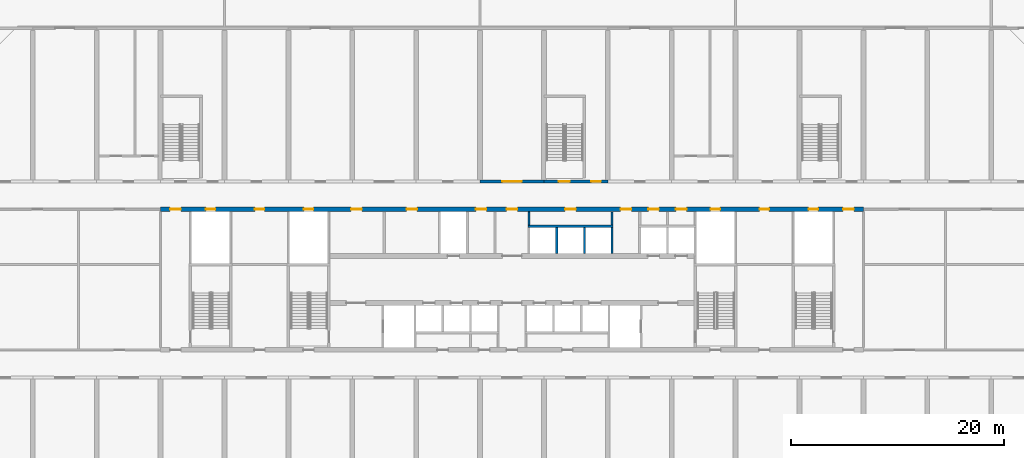
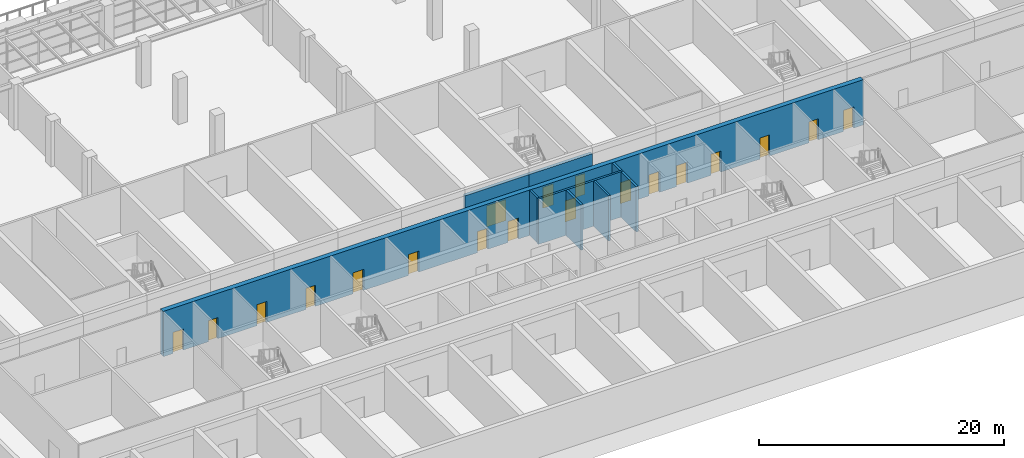
# One storey, part 10 of 20: 19 doors, 9 walls, 19 openings.
"""IFC4 building model written with IfcOpenShell, lengths in metres."""

from ifc_helpers import new_model, si_unit, direction, frame, frame_2d, origin, place, context, subcontext, project, spatial, rectangle, extrude, material, layer, layer_set, type_object, element, fill, save


model = new_model("IFC4")

# Units and contexts
model_context = context("Model", 3, precision=1e-05, world=origin(), true_north=direction((0.0, 1.0)))
body_context = subcontext(model_context, "Body", "Model", "MODEL_VIEW")
ifc_project = project(units=[si_unit("LENGTHUNIT", "METRE"), si_unit("AREAUNIT", "SQUARE_METRE"), si_unit("VOLUMEUNIT", "CUBIC_METRE"), si_unit("PLANEANGLEUNIT", "RADIAN"), si_unit("MASSUNIT", "GRAM", prefix="KILO")], contexts=[model_context])

# Site, building, storey
site_placement = place(None, origin())
site = spatial("IfcSite", under=ifc_project, at=site_placement, CompositionType="ELEMENT")
building_placement = place(site_placement, origin())
building = spatial("IfcBuilding", under=site, at=building_placement, Name="Poui Terraces", CompositionType="ELEMENT")
storey_placement = place(building_placement, frame((0.0, 0.0, 6.0)))
storey = spatial("IfcBuildingStorey", under=building, at=storey_placement, Name="L01", CompositionType="ELEMENT", Elevation=6.0)

# Walls
ifc_material_1 = material(Name="Fire-rated masonry wall", Category="masonry")
ifc_layer_1 = layer(ifc_material_1, 0.199951171875)
ifc_layer_set_1 = layer_set([ifc_layer_1], Name="Fire-rated masonry wall")
wall_type_1 = type_object("IfcWallType", Name="COMPARTMENT WALL 200", PredefinedType="PARTITIONING", material=ifc_layer_set_1)
wall_1_placement = place(storey_placement, frame((60.39990234375, 26.300048828125, 0.0), z_axis=(0.0, 0.0, 1.0), x_axis=(0.0, 1.0, 0.0)))
element("IfcWall", 1, at=wall_1_placement, inside=storey, type_object=wall_type_1, Name="COMPARTMENT WALL 200", PredefinedType="PARTITIONING", context=body_context, shape_type="SweptSolid", body=[
    extrude(rectangle(XDim=1.264892578125, YDim=0.199951171875, at=frame_2d((0.63232421875, 0.0))), origin(), (0.0, 0.0, 1.0), 4.52001953125),
])
ifc_material_2 = material(Name="Fire-rated plasterboard wall")
ifc_layer_2 = layer(ifc_material_2, 0.14990234375)
ifc_layer_set_2 = layer_set([ifc_layer_2], Name="Fire-rated plasterboard wall")
wall_type_2 = type_object("IfcWallType", Name="CORRIDOR WALL 150", PredefinedType="PARTITIONING", material=ifc_layer_set_2)
wall_2_placement = place(storey_placement, frame((52.60009765625, 26.300048828125, 0.0), z_axis=(0.0, 0.0, 1.0), x_axis=(0.0, 1.0, 0.0)))
element("IfcWall", 2, at=wall_2_placement, inside=storey, type_object=wall_type_2, Name="CORRIDOR WALL 150", PredefinedType="PARTITIONING", context=body_context, shape_type="SweptSolid", body=[
    extrude(rectangle(XDim=1.264892578125, YDim=0.14990234375, at=frame_2d((0.63232421875, 0.0))), origin(), (0.0, 0.0, 1.0), 4.52001953125),
])

# Wall, opening, door
ifc_material_3 = material(Name="Concrete 80 MPa", Category="concrete")
ifc_layer_3 = layer(ifc_material_3, 0.300048828125)
ifc_layer_set_3 = layer_set([ifc_layer_3], Name="Concrete 80 MPa")
wall_type_3 = type_object("IfcWallType", Name="CORRIDOR WALL 300 80MPa", PredefinedType="SHEAR", material=ifc_layer_set_3)
wall_3_placement = place(storey_placement, frame((48.0, 30.39990234375, 0.0), z_axis=(0.0, 0.0, 1.0), x_axis=(1.0, 0.0, 0.0)))
wall_3 = element("IfcWall", 3, at=wall_3_placement, inside=storey, type_object=wall_type_3, Name="CORRIDOR WALL LINE E BAY 9", PredefinedType="SHEAR", context=body_context, shape_type="SweptSolid", body=[
    extrude(rectangle(XDim=6.0, YDim=0.300048828125, at=frame_2d((3.0, 0.0))), origin(), (0.0, 0.0, 1.0), 3.919921875),
])
opening_1_placement = place(wall_3_placement, frame((2.10009765625, 0.0, 0.0)))
opening_1 = element("IfcOpeningElement", 4, at=opening_1_placement, cuts=wall_3, Name="Opening DD180", PredefinedType="OPENING", context=body_context, shape_type="SweptSolid", body=[
    extrude(rectangle(XDim=1.800048828125, YDim=2.10009765625, at=frame_2d((0.89990234375, 1.050048828125))), frame((0.0, 0.16015625, 0.0), z_axis=(0.0, -1.0, 0.0), x_axis=(1.0, 0.0, 0.0)), (0.0, 0.0, 1.0), 0.320068359375),
])
ifc_material_4 = material(Name="Steel fire door", Category="steel")
door_type_1 = type_object("IfcDoorType", Name="DOUBLE INTERNAL DOOR 1800 X 2100", OperationType="DOUBLE_DOOR_SINGLE_SWING", PredefinedType="DOOR", material=ifc_material_4)
door_1_placement = place(opening_1_placement, frame((1.800048828125, 0.0, 0.0), z_axis=(0.0, 0.0, 1.0), x_axis=(-1.0, 0.0, 0.0)))
door_1 = element("IfcDoor", 5, at=door_1_placement, inside=storey, type_object=door_type_1, Name="DOUBLE INTERNAL DOOR 021", OperationType="DOUBLE_DOOR_SINGLE_SWING", OverallHeight=2.10009765625, OverallWidth=1.800048828125, PredefinedType="DOOR", context=body_context, shape_type="SweptSolid", body=[
    extrude(rectangle(XDim=1.800048828125, YDim=2.10009765625, at=frame_2d((0.89990234375, 1.050048828125))), frame((0.0, 0.02490234375, 0.0), z_axis=(0.0, -1.0, 0.0), x_axis=(1.0, 0.0, 0.0)), (0.0, 0.0, 1.0), 0.050048828125),
])
fill(opening_1, door_1)

# Wall, openings, doors
wall_4_placement = place(storey_placement, frame((54.0, 30.39990234375, 0.0), z_axis=(0.0, 0.0, 1.0), x_axis=(1.0, 0.0, 0.0)))
wall_4 = element("IfcWall", 6, at=wall_4_placement, inside=storey, type_object=wall_type_3, Name="CORRIDOR WALL LINE E BAY 10", PredefinedType="SHEAR", context=body_context, shape_type="SweptSolid", body=[
    extrude(rectangle(XDim=6.0, YDim=0.300048828125, at=frame_2d((3.0, 0.0))), origin(), (0.0, 0.0, 1.0), 3.919921875),
])
opening_2_placement = place(wall_4_placement, frame((1.39990234375, 0.0, 0.0)))
opening_2 = element("IfcOpeningElement", 7, at=opening_2_placement, cuts=wall_4, Name="Opening FD60S", PredefinedType="OPENING", context=body_context, shape_type="SweptSolid", body=[
    extrude(rectangle(XDim=1.0, YDim=2.10009765625, at=frame_2d((0.5, 1.050048828125))), frame((0.0, 0.16015625, 0.0), z_axis=(0.0, -1.0, 0.0), x_axis=(1.0, 0.0, 0.0)), (0.0, 0.0, 1.0), 0.320068359375),
])
opening_3_placement = place(wall_4_placement, frame((4.449951171875, 0.0, 0.0)))
opening_3 = element("IfcOpeningElement", 8, at=opening_3_placement, cuts=wall_4, Name="Opening D90", PredefinedType="OPENING", context=body_context, shape_type="SweptSolid", body=[
    extrude(rectangle(XDim=0.89990234375, YDim=2.10009765625, at=frame_2d((0.449951171875, 1.050048828125))), frame((0.0, 0.16015625, 0.0), z_axis=(0.0, -1.0, 0.0), x_axis=(1.0, 0.0, 0.0)), (0.0, 0.0, 1.0), 0.320068359375),
])
ifc_material_5 = material(Name="Solid core timber door", Category="wood")
door_type_2 = type_object("IfcDoorType", Name="INTERNAL DOOR 900 X 2100", OperationType="NOTDEFINED", PredefinedType="DOOR", material=ifc_material_5)
door_2_placement = place(opening_3_placement, frame((0.89990234375, 0.0, 0.0), z_axis=(0.0, 0.0, 1.0), x_axis=(-1.0, 0.0, 0.0)))
door_2 = element("IfcDoor", 9, at=door_2_placement, inside=storey, type_object=door_type_2, Name="INTERNAL DOOR 024", OperationType="SINGLE_SWING_RIGHT", OverallHeight=2.10009765625, OverallWidth=0.89990234375, PredefinedType="DOOR", context=body_context, shape_type="SweptSolid", body=[
    extrude(rectangle(XDim=0.89990234375, YDim=2.10009765625, at=frame_2d((0.449951171875, 1.050048828125))), frame((0.0, 0.02490234375, 0.0), z_axis=(0.0, -1.0, 0.0), x_axis=(1.0, 0.0, 0.0)), (0.0, 0.0, 1.0), 0.050048828125),
])
fill(opening_3, door_2)
door_type_3 = type_object("IfcDoorType", Name="STAIR DOOR 1000 X 2100", OperationType="NOTDEFINED", PredefinedType="DOOR", material=ifc_material_4)
door_3_placement = place(opening_2_placement, origin())
door_3 = element("IfcDoor", 10, at=door_3_placement, inside=storey, type_object=door_type_3, Name="STAIR DOOR 022", OperationType="SINGLE_SWING_RIGHT", OverallHeight=2.10009765625, OverallWidth=1.0, PredefinedType="DOOR", context=body_context, shape_type="SweptSolid", body=[
    extrude(rectangle(XDim=1.0, YDim=2.10009765625, at=frame_2d((0.5, 1.050048828125))), frame((0.0, 0.02490234375, 0.0), z_axis=(0.0, -1.0, 0.0), x_axis=(1.0, 0.0, 0.0)), (0.0, 0.0, 1.0), 0.050048828125),
])
fill(opening_2, door_3)

# Walls
ifc_material_6 = material(Name="Fire-rated masonry shaft wall", Category="masonry")
ifc_layer_4 = layer(ifc_material_6, 0.199951171875)
ifc_layer_set_4 = layer_set([ifc_layer_4], Name="Fire-rated masonry shaft wall")
wall_type_4 = type_object("IfcWallType", Name="SHAFT WALL 200", PredefinedType="PARTITIONING", material=ifc_layer_set_4)
wall_5_placement = place(storey_placement, frame((52.5, 26.199951171875, 0.0), z_axis=(0.0, 0.0, 1.0), x_axis=(1.0, 0.0, 0.0)))
element("IfcWall", 11, at=wall_5_placement, inside=storey, type_object=wall_type_4, Name="SHAFT WALL 200", PredefinedType="PARTITIONING", context=body_context, shape_type="SweptSolid", body=[
    extrude(rectangle(XDim=8.0, YDim=0.199951171875, at=frame_2d((4.0, 0.0))), origin(), (0.0, 0.0, 1.0), 4.52001953125),
])
for number, where, z_axis, x_axis, name in (
    (12, (55.199951171875, 23.635009765625, 0.0), (0.0, 0.0, 1.0), (0.0, 1.0, 0.0), "SHAFT WALL 200"),
    (13, (57.800048828125, 23.635009765625, 0.0), (0.0, 0.0, 1.0), (0.0, 1.0, 0.0), "SHAFT WALL 200"),
    (14, (60.39990234375, 23.635009765625, 0.0), (0.0, 0.0, 1.0), (0.0, 1.0, 0.0), "SHAFT WALL 200"),
):
    element("IfcWall", number, at=place(storey_placement, frame(where, z_axis=z_axis, x_axis=x_axis)), inside=storey, type_object=wall_type_4, Name=name, PredefinedType="PARTITIONING", context=body_context, shape_type="SweptSolid", body=[
        extrude(rectangle(XDim=2.465087890625, YDim=0.199951171875, at=frame_2d((1.232421875, 0.0))), origin(), (0.0, 0.0, 1.0), 4.52001953125),
    ])

# Wall, openings, doors
ifc_layer_5 = layer(ifc_material_3, 0.449951171875)
ifc_layer_set_5 = layer_set([ifc_layer_5], Name="Concrete 80 MPa")
wall_type_5 = type_object("IfcWallType", Name="SPINE WALL 450 80 MPA", PredefinedType="SOLIDWALL", material=ifc_layer_set_5)
wall_6_placement = place(storey_placement, frame((18.0, 27.800048828125, 0.0), z_axis=(0.0, 0.0, 1.0), x_axis=(1.0, 0.0, 0.0)))
wall_6 = element("IfcWall", 15, at=wall_6_placement, inside=storey, type_object=wall_type_5, Name="SPINE WALL", PredefinedType="SOLIDWALL", context=body_context, shape_type="SweptSolid", body=[
    extrude(rectangle(XDim=66.0, YDim=0.449951171875, at=frame_2d((33.0, 0.0))), origin(), (0.0, 0.0, 1.0), 4.52001953125),
])
opening_4_placement = place(wall_6_placement, frame((0.89990234375, 0.0, 0.0)))
opening_4 = element("IfcOpeningElement", 16, at=opening_4_placement, cuts=wall_6, Name="Opening FDL", PredefinedType="OPENING", context=body_context, shape_type="SweptSolid", body=[
    extrude(rectangle(XDim=1.0, YDim=2.10009765625, at=frame_2d((0.5, 1.050048828125))), frame((0.0, 0.23486328125, 0.0), z_axis=(0.0, -1.0, 0.0), x_axis=(1.0, 0.0, 0.0)), (0.0, 0.0, 1.0), 0.469970703125),
])
opening_5_placement = place(wall_6_placement, frame((4.25, 0.0, 0.0)))
opening_5 = element("IfcOpeningElement", 17, at=opening_5_placement, cuts=wall_6, Name="Opening FDR", PredefinedType="OPENING", context=body_context, shape_type="SweptSolid", body=[
    extrude(rectangle(XDim=0.89990234375, YDim=2.10009765625, at=frame_2d((0.449951171875, 1.050048828125))), frame((0.0, 0.23486328125, 0.0), z_axis=(0.0, -1.0, 0.0), x_axis=(1.0, 0.0, 0.0)), (0.0, 0.0, 1.0), 0.469970703125),
])
opening_6_placement = place(wall_6_placement, frame((8.85009765625, 0.0, 0.0)))
opening_6 = element("IfcOpeningElement", 18, at=opening_6_placement, cuts=wall_6, Name="Opening D90", PredefinedType="OPENING", context=body_context, shape_type="SweptSolid", body=[
    extrude(rectangle(XDim=0.89990234375, YDim=2.10009765625, at=frame_2d((0.449951171875, 1.050048828125))), frame((0.0, 0.23486328125, 0.0), z_axis=(0.0, -1.0, 0.0), x_axis=(1.0, 0.0, 0.0)), (0.0, 0.0, 1.0), 0.469970703125),
])
opening_7_placement = place(wall_6_placement, frame((13.449951171875, 0.0, 0.0)))
opening_7 = element("IfcOpeningElement", 19, at=opening_7_placement, cuts=wall_6, Name="Opening FDR", PredefinedType="OPENING", context=body_context, shape_type="SweptSolid", body=[
    extrude(rectangle(XDim=0.89990234375, YDim=2.10009765625, at=frame_2d((0.449951171875, 1.050048828125))), frame((0.0, 0.23486328125, 0.0), z_axis=(0.0, -1.0, 0.0), x_axis=(1.0, 0.0, 0.0)), (0.0, 0.0, 1.0), 0.469970703125),
])
opening_8_placement = place(wall_6_placement, frame((17.89990234375, 0.0, 0.0)))
opening_8 = element("IfcOpeningElement", 20, at=opening_8_placement, cuts=wall_6, Name="Opening FD60", PredefinedType="OPENING", context=body_context, shape_type="SweptSolid", body=[
    extrude(rectangle(XDim=1.0, YDim=2.10009765625, at=frame_2d((0.5, 1.050048828125))), frame((0.0, 0.23486328125, 0.0), z_axis=(0.0, -1.0, 0.0), x_axis=(1.0, 0.0, 0.0)), (0.0, 0.0, 1.0), 0.469970703125),
])
opening_9_placement = place(wall_6_placement, frame((23.10009765625, 0.0, 0.0)))
opening_9 = element("IfcOpeningElement", 21, at=opening_9_placement, cuts=wall_6, Name="Opening FD60", PredefinedType="OPENING", context=body_context, shape_type="SweptSolid", body=[
    extrude(rectangle(XDim=1.0, YDim=2.10009765625, at=frame_2d((0.5, 1.050048828125))), frame((0.0, 0.23486328125, 0.0), z_axis=(0.0, -1.0, 0.0), x_axis=(1.0, 0.0, 0.0)), (0.0, 0.0, 1.0), 0.469970703125),
])
opening_10_placement = place(wall_6_placement, frame((29.60009765625, 0.0, 0.0)))
opening_10 = element("IfcOpeningElement", 22, at=opening_10_placement, cuts=wall_6, Name="Opening FD60", PredefinedType="OPENING", context=body_context, shape_type="SweptSolid", body=[
    extrude(rectangle(XDim=1.0, YDim=2.10009765625, at=frame_2d((0.5, 1.050048828125))), frame((0.0, 0.23486328125, 0.0), z_axis=(0.0, -1.0, 0.0), x_axis=(1.0, 0.0, 0.0)), (0.0, 0.0, 1.0), 0.469970703125),
])
opening_11_placement = place(wall_6_placement, frame((32.5, 0.0, 0.0)))
opening_11 = element("IfcOpeningElement", 23, at=opening_11_placement, cuts=wall_6, Name="Opening FDL", PredefinedType="OPENING", context=body_context, shape_type="SweptSolid", body=[
    extrude(rectangle(XDim=1.0, YDim=2.10009765625, at=frame_2d((0.5, 1.050048828125))), frame((0.0, 0.23486328125, 0.0), z_axis=(0.0, -1.0, 0.0), x_axis=(1.0, 0.0, 0.0)), (0.0, 0.0, 1.0), 0.469970703125),
])
opening_12_placement = place(wall_6_placement, frame((38.0, 0.0, 0.0)))
opening_12 = element("IfcOpeningElement", 24, at=opening_12_placement, cuts=wall_6, Name="Opening FD60", PredefinedType="OPENING", context=body_context, shape_type="SweptSolid", body=[
    extrude(rectangle(XDim=1.0, YDim=2.10009765625, at=frame_2d((0.5, 1.050048828125))), frame((0.0, 0.23486328125, 0.0), z_axis=(0.0, -1.0, 0.0), x_axis=(1.0, 0.0, 0.0)), (0.0, 0.0, 1.0), 0.469970703125),
])
opening_13_placement = place(wall_6_placement, frame((43.199951171875, 0.0, 0.0)))
opening_13 = element("IfcOpeningElement", 25, at=opening_13_placement, cuts=wall_6, Name="Opening FD60", PredefinedType="OPENING", context=body_context, shape_type="SweptSolid", body=[
    extrude(rectangle(XDim=1.0, YDim=2.10009765625, at=frame_2d((0.5, 1.050048828125))), frame((0.0, 0.23486328125, 0.0), z_axis=(0.0, -1.0, 0.0), x_axis=(1.0, 0.0, 0.0)), (0.0, 0.0, 1.0), 0.469970703125),
])
opening_14_placement = place(wall_6_placement, frame((45.800048828125, 0.0, 0.0)))
opening_14 = element("IfcOpeningElement", 26, at=opening_14_placement, cuts=wall_6, Name="Opening FD60", PredefinedType="OPENING", context=body_context, shape_type="SweptSolid", body=[
    extrude(rectangle(XDim=1.0, YDim=2.10009765625, at=frame_2d((0.5, 1.050048828125))), frame((0.0, 0.23486328125, 0.0), z_axis=(0.0, -1.0, 0.0), x_axis=(1.0, 0.0, 0.0)), (0.0, 0.0, 1.0), 0.469970703125),
])
opening_15_placement = place(wall_6_placement, frame((48.39990234375, 0.0, 0.0)))
opening_15 = element("IfcOpeningElement", 27, at=opening_15_placement, cuts=wall_6, Name="Opening FD60", PredefinedType="OPENING", context=body_context, shape_type="SweptSolid", body=[
    extrude(rectangle(XDim=1.0, YDim=2.10009765625, at=frame_2d((0.5, 1.050048828125))), frame((0.0, 0.23486328125, 0.0), z_axis=(0.0, -1.0, 0.0), x_axis=(1.0, 0.0, 0.0)), (0.0, 0.0, 1.0), 0.469970703125),
])
opening_16_placement = place(wall_6_placement, frame((51.64990234375, 0.0, 0.0)))
opening_16 = element("IfcOpeningElement", 28, at=opening_16_placement, cuts=wall_6, Name="Opening FDR", PredefinedType="OPENING", context=body_context, shape_type="SweptSolid", body=[
    extrude(rectangle(XDim=0.89990234375, YDim=2.10009765625, at=frame_2d((0.449951171875, 1.050048828125))), frame((0.0, 0.23486328125, 0.0), z_axis=(0.0, -1.0, 0.0), x_axis=(1.0, 0.0, 0.0)), (0.0, 0.0, 1.0), 0.469970703125),
])
opening_17_placement = place(wall_6_placement, frame((56.25, 0.0, 0.0)))
opening_17 = element("IfcOpeningElement", 29, at=opening_17_placement, cuts=wall_6, Name="Opening D90", PredefinedType="OPENING", context=body_context, shape_type="SweptSolid", body=[
    extrude(rectangle(XDim=0.89990234375, YDim=2.10009765625, at=frame_2d((0.449951171875, 1.050048828125))), frame((0.0, 0.23486328125, 0.0), z_axis=(0.0, -1.0, 0.0), x_axis=(1.0, 0.0, 0.0)), (0.0, 0.0, 1.0), 0.469970703125),
])
opening_18_placement = place(wall_6_placement, frame((60.85009765625, 0.0, 0.0)))
opening_18 = element("IfcOpeningElement", 30, at=opening_18_placement, cuts=wall_6, Name="Opening FDR", PredefinedType="OPENING", context=body_context, shape_type="SweptSolid", body=[
    extrude(rectangle(XDim=0.89990234375, YDim=2.10009765625, at=frame_2d((0.449951171875, 1.050048828125))), frame((0.0, 0.23486328125, 0.0), z_axis=(0.0, -1.0, 0.0), x_axis=(1.0, 0.0, 0.0)), (0.0, 0.0, 1.0), 0.469970703125),
])
opening_19_placement = place(wall_6_placement, frame((64.10009765625, 0.0, 0.0)))
opening_19 = element("IfcOpeningElement", 31, at=opening_19_placement, cuts=wall_6, Name="Opening FDL", PredefinedType="OPENING", context=body_context, shape_type="SweptSolid", body=[
    extrude(rectangle(XDim=1.0, YDim=2.10009765625, at=frame_2d((0.5, 1.050048828125))), frame((0.0, 0.23486328125, 0.0), z_axis=(0.0, -1.0, 0.0), x_axis=(1.0, 0.0, 0.0)), (0.0, 0.0, 1.0), 0.469970703125),
])
door_4_placement = place(opening_6_placement, origin())
door_4 = element("IfcDoor", 32, at=door_4_placement, inside=storey, type_object=door_type_2, Name="INTERNAL DOOR 012", OperationType="SINGLE_SWING_LEFT", OverallHeight=2.10009765625, OverallWidth=0.89990234375, PredefinedType="DOOR", context=body_context, shape_type="SweptSolid", body=[
    extrude(rectangle(XDim=0.89990234375, YDim=2.10009765625, at=frame_2d((0.449951171875, 1.050048828125))), frame((0.0, 0.02490234375, 0.0), z_axis=(0.0, -1.0, 0.0), x_axis=(1.0, 0.0, 0.0)), (0.0, 0.0, 1.0), 0.050048828125),
])
fill(opening_6, door_4)
door_5_placement = place(opening_17_placement, origin())
door_5 = element("IfcDoor", 33, at=door_5_placement, inside=storey, type_object=door_type_2, Name="INTERNAL DOOR 031", OperationType="SINGLE_SWING_LEFT", OverallHeight=2.10009765625, OverallWidth=0.89990234375, PredefinedType="DOOR", context=body_context, shape_type="SweptSolid", body=[
    extrude(rectangle(XDim=0.89990234375, YDim=2.10009765625, at=frame_2d((0.449951171875, 1.050048828125))), frame((0.0, 0.02490234375, 0.0), z_axis=(0.0, -1.0, 0.0), x_axis=(1.0, 0.0, 0.0)), (0.0, 0.0, 1.0), 0.050048828125),
])
fill(opening_17, door_5)
door_type_4 = type_object("IfcDoorType", Name="LOBBY FIRE DOOR 1000 X 2100", OperationType="NOTDEFINED", PredefinedType="DOOR", material=ifc_material_4)
door_6_placement = place(opening_4_placement, origin())
door_6 = element("IfcDoor", 34, at=door_6_placement, inside=storey, type_object=door_type_4, Name="LOBBY FIRE DOOR 007", OperationType="SINGLE_SWING_LEFT", OverallHeight=2.10009765625, OverallWidth=1.0, PredefinedType="DOOR", context=body_context, shape_type="SweptSolid", body=[
    extrude(rectangle(XDim=1.0, YDim=2.10009765625, at=frame_2d((0.5, 1.050048828125))), frame((0.0, 0.02490234375, 0.0), z_axis=(0.0, -1.0, 0.0), x_axis=(1.0, 0.0, 0.0)), (0.0, 0.0, 1.0), 0.050048828125),
])
fill(opening_4, door_6)
door_7_placement = place(opening_11_placement, origin())
door_7 = element("IfcDoor", 35, at=door_7_placement, inside=storey, type_object=door_type_4, Name="LOBBY FIRE DOOR 020", OperationType="SINGLE_SWING_RIGHT", OverallHeight=2.10009765625, OverallWidth=1.0, PredefinedType="DOOR", context=body_context, shape_type="SweptSolid", body=[
    extrude(rectangle(XDim=1.0, YDim=2.10009765625, at=frame_2d((0.5, 1.050048828125))), frame((0.0, 0.02490234375, 0.0), z_axis=(0.0, -1.0, 0.0), x_axis=(1.0, 0.0, 0.0)), (0.0, 0.0, 1.0), 0.050048828125),
])
fill(opening_11, door_7)
door_8_placement = place(opening_19_placement, origin())
door_8 = element("IfcDoor", 36, at=door_8_placement, inside=storey, type_object=door_type_4, Name="LOBBY FIRE DOOR 035", OperationType="SINGLE_SWING_RIGHT", OverallHeight=2.10009765625, OverallWidth=1.0, PredefinedType="DOOR", context=body_context, shape_type="SweptSolid", body=[
    extrude(rectangle(XDim=1.0, YDim=2.10009765625, at=frame_2d((0.5, 1.050048828125))), frame((0.0, 0.02490234375, 0.0), z_axis=(0.0, -1.0, 0.0), x_axis=(1.0, 0.0, 0.0)), (0.0, 0.0, 1.0), 0.050048828125),
])
fill(opening_19, door_8)
door_type_5 = type_object("IfcDoorType", Name="RISER CUPBOARD DOOR 900 X 2100", OperationType="NOTDEFINED", PredefinedType="DOOR", material=ifc_material_4)
door_9_placement = place(opening_5_placement, origin())
door_9 = element("IfcDoor", 37, at=door_9_placement, inside=storey, type_object=door_type_5, Name="RISER CUPBOARD DOOR 009", OperationType="SINGLE_SWING_LEFT", OverallHeight=2.10009765625, OverallWidth=0.89990234375, PredefinedType="DOOR", context=body_context, shape_type="SweptSolid", body=[
    extrude(rectangle(XDim=0.89990234375, YDim=2.10009765625, at=frame_2d((0.449951171875, 1.050048828125))), frame((0.0, 0.02490234375, 0.0), z_axis=(0.0, -1.0, 0.0), x_axis=(1.0, 0.0, 0.0)), (0.0, 0.0, 1.0), 0.050048828125),
])
fill(opening_5, door_9)
door_10_placement = place(opening_7_placement, origin())
door_10 = element("IfcDoor", 38, at=door_10_placement, inside=storey, type_object=door_type_5, Name="RISER CUPBOARD DOOR 013", OperationType="SINGLE_SWING_LEFT", OverallHeight=2.10009765625, OverallWidth=0.89990234375, PredefinedType="DOOR", context=body_context, shape_type="SweptSolid", body=[
    extrude(rectangle(XDim=0.89990234375, YDim=2.10009765625, at=frame_2d((0.449951171875, 1.050048828125))), frame((0.0, 0.02490234375, 0.0), z_axis=(0.0, -1.0, 0.0), x_axis=(1.0, 0.0, 0.0)), (0.0, 0.0, 1.0), 0.050048828125),
])
fill(opening_7, door_10)
door_11_placement = place(opening_16_placement, origin())
door_11 = element("IfcDoor", 39, at=door_11_placement, inside=storey, type_object=door_type_5, Name="RISER CUPBOARD DOOR 030", OperationType="SINGLE_SWING_RIGHT", OverallHeight=2.10009765625, OverallWidth=0.89990234375, PredefinedType="DOOR", context=body_context, shape_type="SweptSolid", body=[
    extrude(rectangle(XDim=0.89990234375, YDim=2.10009765625, at=frame_2d((0.449951171875, 1.050048828125))), frame((0.0, 0.02490234375, 0.0), z_axis=(0.0, -1.0, 0.0), x_axis=(1.0, 0.0, 0.0)), (0.0, 0.0, 1.0), 0.050048828125),
])
fill(opening_16, door_11)
door_12_placement = place(opening_18_placement, origin())
door_12 = element("IfcDoor", 40, at=door_12_placement, inside=storey, type_object=door_type_5, Name="RISER CUPBOARD DOOR 033", OperationType="SINGLE_SWING_RIGHT", OverallHeight=2.10009765625, OverallWidth=0.89990234375, PredefinedType="DOOR", context=body_context, shape_type="SweptSolid", body=[
    extrude(rectangle(XDim=0.89990234375, YDim=2.10009765625, at=frame_2d((0.449951171875, 1.050048828125))), frame((0.0, 0.02490234375, 0.0), z_axis=(0.0, -1.0, 0.0), x_axis=(1.0, 0.0, 0.0)), (0.0, 0.0, 1.0), 0.050048828125),
])
fill(opening_18, door_12)
door_type_6 = type_object("IfcDoorType", Name="SERVICE ROOM FIRE DOOR 1000 X 2100", OperationType="NOTDEFINED", PredefinedType="DOOR", material=ifc_material_4)
door_13_placement = place(opening_8_placement, origin())
door_13 = element("IfcDoor", 41, at=door_13_placement, inside=storey, type_object=door_type_6, Name="SERVICE ROOM FIRE DOOR 015", OperationType="SINGLE_SWING_RIGHT", OverallHeight=2.10009765625, OverallWidth=1.0, PredefinedType="DOOR", context=body_context, shape_type="SweptSolid", body=[
    extrude(rectangle(XDim=1.0, YDim=2.10009765625, at=frame_2d((0.5, 1.050048828125))), frame((0.0, 0.02490234375, 0.0), z_axis=(0.0, -1.0, 0.0), x_axis=(1.0, 0.0, 0.0)), (0.0, 0.0, 1.0), 0.050048828125),
])
fill(opening_8, door_13)
door_14_placement = place(opening_9_placement, origin())
door_14 = element("IfcDoor", 42, at=door_14_placement, inside=storey, type_object=door_type_6, Name="SERVICE ROOM FIRE DOOR 017", OperationType="SINGLE_SWING_LEFT", OverallHeight=2.10009765625, OverallWidth=1.0, PredefinedType="DOOR", context=body_context, shape_type="SweptSolid", body=[
    extrude(rectangle(XDim=1.0, YDim=2.10009765625, at=frame_2d((0.5, 1.050048828125))), frame((0.0, 0.02490234375, 0.0), z_axis=(0.0, -1.0, 0.0), x_axis=(1.0, 0.0, 0.0)), (0.0, 0.0, 1.0), 0.050048828125),
])
fill(opening_9, door_14)
door_15_placement = place(opening_10_placement, origin())
door_15 = element("IfcDoor", 43, at=door_15_placement, inside=storey, type_object=door_type_6, Name="SERVICE ROOM FIRE DOOR 019", OperationType="SINGLE_SWING_RIGHT", OverallHeight=2.10009765625, OverallWidth=1.0, PredefinedType="DOOR", context=body_context, shape_type="SweptSolid", body=[
    extrude(rectangle(XDim=1.0, YDim=2.10009765625, at=frame_2d((0.5, 1.050048828125))), frame((0.0, 0.02490234375, 0.0), z_axis=(0.0, -1.0, 0.0), x_axis=(1.0, 0.0, 0.0)), (0.0, 0.0, 1.0), 0.050048828125),
])
fill(opening_10, door_15)
door_16_placement = place(opening_12_placement, origin())
door_16 = element("IfcDoor", 44, at=door_16_placement, inside=storey, type_object=door_type_6, Name="SERVICE ROOM FIRE DOOR 023", OperationType="SINGLE_SWING_LEFT", OverallHeight=2.10009765625, OverallWidth=1.0, PredefinedType="DOOR", context=body_context, shape_type="SweptSolid", body=[
    extrude(rectangle(XDim=1.0, YDim=2.10009765625, at=frame_2d((0.5, 1.050048828125))), frame((0.0, 0.02490234375, 0.0), z_axis=(0.0, -1.0, 0.0), x_axis=(1.0, 0.0, 0.0)), (0.0, 0.0, 1.0), 0.050048828125),
])
fill(opening_12, door_16)
door_17_placement = place(opening_13_placement, origin())
door_17 = element("IfcDoor", 45, at=door_17_placement, inside=storey, type_object=door_type_6, Name="SERVICE ROOM FIRE DOOR 025", OperationType="SINGLE_SWING_RIGHT", OverallHeight=2.10009765625, OverallWidth=1.0, PredefinedType="DOOR", context=body_context, shape_type="SweptSolid", body=[
    extrude(rectangle(XDim=1.0, YDim=2.10009765625, at=frame_2d((0.5, 1.050048828125))), frame((0.0, 0.02490234375, 0.0), z_axis=(0.0, -1.0, 0.0), x_axis=(1.0, 0.0, 0.0)), (0.0, 0.0, 1.0), 0.050048828125),
])
fill(opening_13, door_17)
door_18_placement = place(opening_14_placement, origin())
door_18 = element("IfcDoor", 46, at=door_18_placement, inside=storey, type_object=door_type_6, Name="SERVICE ROOM FIRE DOOR 027", OperationType="SINGLE_SWING_LEFT", OverallHeight=2.10009765625, OverallWidth=1.0, PredefinedType="DOOR", context=body_context, shape_type="SweptSolid", body=[
    extrude(rectangle(XDim=1.0, YDim=2.10009765625, at=frame_2d((0.5, 1.050048828125))), frame((0.0, 0.02490234375, 0.0), z_axis=(0.0, -1.0, 0.0), x_axis=(1.0, 0.0, 0.0)), (0.0, 0.0, 1.0), 0.050048828125),
])
fill(opening_14, door_18)
door_19_placement = place(opening_15_placement, origin())
door_19 = element("IfcDoor", 47, at=door_19_placement, inside=storey, type_object=door_type_6, Name="SERVICE ROOM FIRE DOOR 028", OperationType="SINGLE_SWING_RIGHT", OverallHeight=2.10009765625, OverallWidth=1.0, PredefinedType="DOOR", context=body_context, shape_type="SweptSolid", body=[
    extrude(rectangle(XDim=1.0, YDim=2.10009765625, at=frame_2d((0.5, 1.050048828125))), frame((0.0, 0.02490234375, 0.0), z_axis=(0.0, -1.0, 0.0), x_axis=(1.0, 0.0, 0.0)), (0.0, 0.0, 1.0), 0.050048828125),
])
fill(opening_15, door_19)

save(model, "model.ifc")
